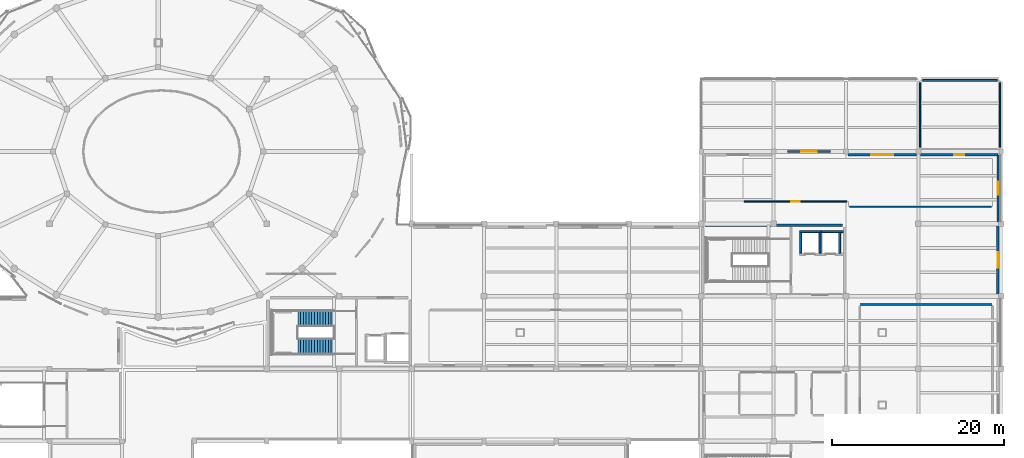
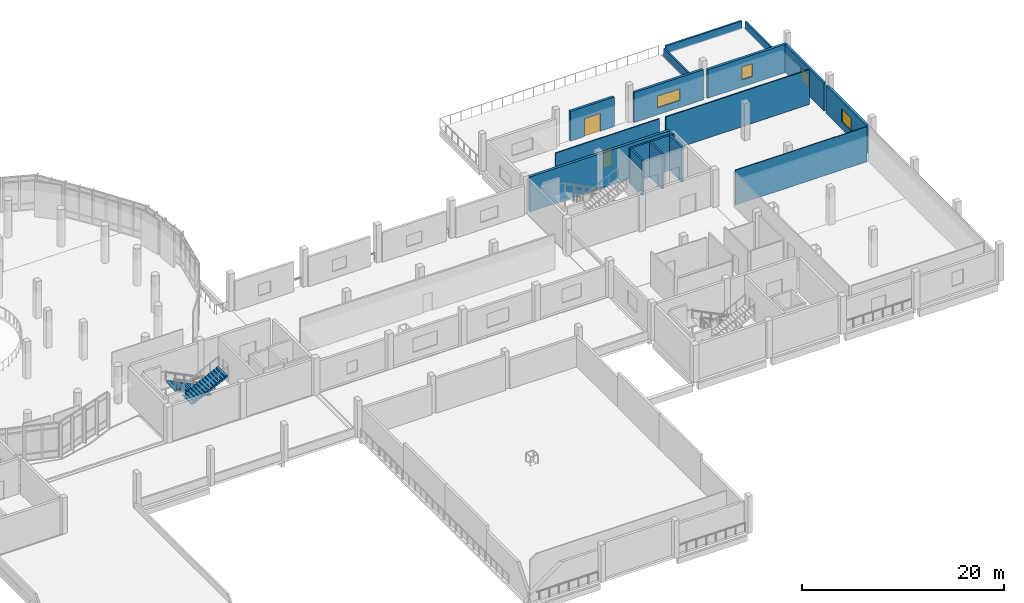
# One storey, part 33 of 46: 17 walls, 4 windows, 2 doors, 2 stair flights, 6 openings, 1 element without a shape of its own.
"""IFC4 building model written with IfcOpenShell, lengths in metres."""

from ifc_helpers import new_model, si_unit, derived_unit, direction, frame, frame_2d, origin, place, context, subcontext, project, spatial, polyline, rectangle, outline, extrude, material, layer, layer_set, type_object, element, fill, aggregate, save


model = new_model("IFC4")

# Units and contexts
model_context = context("Model", 3, precision=1e-05, world=origin(), true_north=direction((0.0, 1.0)))
body_context = subcontext(model_context, "Body", "Model", "MODEL_VIEW")
ifc_project = project(units=[si_unit("LENGTHUNIT", "METRE"), si_unit("AREAUNIT", "SQUARE_METRE"), si_unit("VOLUMEUNIT", "CUBIC_METRE"), si_unit("PLANEANGLEUNIT", "RADIAN"), si_unit("MASSUNIT", "GRAM", prefix="KILO"), derived_unit("THERMALTRANSMITTANCEUNIT", [(si_unit("POWERUNIT", "WATT"), 1), (si_unit("LENGTHUNIT", "METRE"), -2), (si_unit("THERMODYNAMICTEMPERATUREUNIT", "KELVIN"), -1)])], contexts=[model_context])

# Site, building, storey
site_placement = place(None, origin())
site = spatial("IfcSite", under=ifc_project, at=site_placement, CompositionType="ELEMENT")
building_placement = place(site_placement, origin())
building = spatial("IfcBuilding", under=site, at=building_placement, Name="Elbkamm Science Centre", CompositionType="ELEMENT")
storey_placement = place(building_placement, frame((0.0, 0.0, 9.89990234375)))
storey = spatial("IfcBuildingStorey", under=building, at=storey_placement, Name="L02", CompositionType="ELEMENT", Elevation=9.89990234375)

# Wall
ifc_material_1 = material(Name="Reinforced concrete C40/50", Category="concrete")
ifc_layer_1 = layer(ifc_material_1, 0.300048828125)
ifc_layer_set_1 = layer_set([ifc_layer_1], Name="Reinforced concrete C40/50")
wall_type_1 = type_object("IfcWallType", Name="WL-CORE-300", PredefinedType="SHEAR", material=ifc_layer_set_1)
wall_1_placement = place(storey_placement, frame((126.449951171875, 58.64990234375, 0.0), z_axis=(0.0, 0.0, 1.0), x_axis=(1.0, 0.0, 0.0)))
element("IfcWall", 1, at=wall_1_placement, inside=storey, type_object=wall_type_1, Name="L02 Core C3 Northeast Laboratories and Observatory Core Shear Wall N", PredefinedType="SHEAR", context=body_context, shape_type="SweptSolid", body=[
    extrude(rectangle(XDim=15.929931640625, YDim=0.300048828125, at=frame_2d((7.96484375, 0.0))), origin(), (0.0, 0.0, 1.0), 4.22021484375),
])

# Wall, opening, door
ifc_material_2 = material(Name="White precast concrete C40/50", Category="concrete")
ifc_layer_2 = layer(ifc_material_2, 0.27001953125)
ifc_layer_set_2 = layer_set([ifc_layer_2], Name="White precast concrete C40/50")
wall_type_2 = type_object("IfcWallType", Name="WL-EXT-270", PredefinedType="SOLIDWALL", material=ifc_layer_set_2)
wall_2_placement = place(storey_placement, frame((136.0, 67.199951171875, 0.0), z_axis=(0.0, 0.0, 1.0), x_axis=(1.0, 0.0, 0.0)))
wall_2 = element("IfcWall", 2, at=wall_2_placement, inside=storey, type_object=wall_type_2, Name="North Laboratory Roof Terrace Portal Wall", PredefinedType="SOLIDWALL", context=body_context, shape_type="SweptSolid", body=[
    extrude(rectangle(XDim=5.0, YDim=0.27001953125, at=frame_2d((2.5, 0.0))), origin(), (0.0, 0.0, 1.0), 3.580078125),
])
opening_1_placement = place(wall_2_placement, frame((1.60009765625, 0.0, 0.0)))
opening_1 = element("IfcOpeningElement", 3, at=opening_1_placement, cuts=wall_2, Name="Opening TD-01", PredefinedType="OPENING", context=body_context, shape_type="SweptSolid", body=[
    extrude(rectangle(XDim=1.800048828125, YDim=2.14990234375, at=frame_2d((0.89990234375, 1.074951171875))), frame((0.0, 0.14697265625, 0.0), z_axis=(0.0, -1.0, 0.0), x_axis=(1.0, 0.0, 0.0)), (0.0, 0.0, 1.0), 0.2939453125),
])
ifc_material_3 = material(Name="Powder-coated aluminium and laminated glass", Category="aluminium")
ifc_layer_3 = layer(ifc_material_3, 0.050048828125)
ifc_layer_set_3 = layer_set([ifc_layer_3], Name="Powder-coated aluminium and laminated glass")
door_type_1 = type_object("IfcDoorType", Name="DR-TER-1800x2150", OperationType="DOUBLE_DOOR_SINGLE_SWING", PredefinedType="DOOR", material=ifc_layer_set_3)
door_1_placement = place(opening_1_placement, origin())
door_1 = element("IfcDoor", 4, at=door_1_placement, inside=storey, type_object=door_type_1, Name="North Laboratory Roof Terrace Access Door", OperationType="DOUBLE_DOOR_SINGLE_SWING", OverallHeight=2.14990234375, OverallWidth=1.800048828125, PredefinedType="DOOR", context=body_context, shape_type="SweptSolid", body=[
    extrude(rectangle(XDim=1.800048828125, YDim=2.14990234375, at=frame_2d((0.89990234375, 1.074951171875))), frame((0.0, 0.02490234375, 0.0), z_axis=(0.0, -1.0, 0.0), x_axis=(1.0, 0.0, 0.0)), (0.0, 0.0, 1.0), 0.050048828125),
])
fill(opening_1, door_1)

# Wall, opening, window
wall_3_placement = place(storey_placement, frame((143.0390625, 66.820068359375, 0.0), z_axis=(0.0, 0.0, 1.0), x_axis=(1.0, 0.0, 0.0)))
wall_3 = element("IfcWall", 5, at=wall_3_placement, inside=storey, type_object=wall_type_2, Name="L02 Exterior Wall 0233", PredefinedType="SOLIDWALL", context=body_context, shape_type="SweptSolid", body=[
    extrude(rectangle(XDim=7.921875, YDim=0.27001953125, at=frame_2d((3.9609375, 0.0))), origin(), (0.0, 0.0, 1.0), 3.630126953125),
])
opening_2_placement = place(wall_3_placement, frame((2.660888671875, 0.0, 0.85009765625)))
opening_2 = element("IfcOpeningElement", 6, at=opening_2_placement, cuts=wall_3, Name="Opening W-08", PredefinedType="OPENING", context=body_context, shape_type="SweptSolid", body=[
    extrude(rectangle(XDim=2.60009765625, YDim=1.39990234375, at=frame_2d((1.300048828125, 0.699951171875))), frame((0.0, 0.14697265625, 0.0), z_axis=(0.0, -1.0, 0.0), x_axis=(1.0, 0.0, 0.0)), (0.0, 0.0, 1.0), 0.2939453125),
])
ifc_material_4 = material(Name="Thermally broken aluminium and triple solar glass", Category="aluminium")
ifc_layer_4 = layer(ifc_material_4, 0.06005859375)
ifc_layer_set_4 = layer_set([ifc_layer_4], Name="Thermally broken aluminium and triple solar glass")
window_type_1 = type_object("IfcWindowType", Name="WIN-2600x1400", PartitioningType="DOUBLE_PANEL_VERTICAL", PredefinedType="WINDOW", material=ifc_layer_set_4)
window_1_placement = place(opening_2_placement, origin())
window_1 = element("IfcWindow", 7, at=window_1_placement, inside=storey, type_object=window_type_1, Name="L02 Facade Window 0047", OverallHeight=1.39990234375, OverallWidth=2.60009765625, PartitioningType="SINGLE_PANEL", PredefinedType="WINDOW", context=body_context, shape_type="SweptSolid", body=[
    extrude(rectangle(XDim=2.60009765625, YDim=1.39990234375, at=frame_2d((1.300048828125, 0.699951171875))), frame((0.0, 0.030029296875, 0.0), z_axis=(0.0, -1.0, 0.0), x_axis=(1.0, 0.0, 0.0)), (0.0, 0.0, 1.0), 0.06005859375),
])
fill(opening_2, window_1)

wall_4_placement = place(storey_placement, frame((160.419921875, 66.820068359375, 0.0), z_axis=(0.0, 0.0, 1.0), x_axis=(0.0, -1.0, 0.0)))
wall_4 = element("IfcWall", 8, at=wall_4_placement, inside=storey, type_object=wall_type_2, Name="L02 Exterior Wall 0235", PredefinedType="SOLIDWALL", context=body_context, shape_type="SweptSolid", body=[
    extrude(rectangle(XDim=7.781005859375, YDim=0.27001953125, at=frame_2d((3.890625, 0.0))), origin(), (0.0, 0.0, 1.0), 3.3701171875),
])
opening_3_placement = place(wall_4_placement, frame((3.140380859375, 0.0, 0.85009765625)))
opening_3 = element("IfcOpeningElement", 9, at=opening_3_placement, cuts=wall_4, Name="Opening W-10", PredefinedType="OPENING", context=body_context, shape_type="SweptSolid", body=[
    extrude(rectangle(XDim=1.5, YDim=1.550048828125, at=frame_2d((0.75, 0.77490234375))), frame((0.0, 0.14697265625, 0.0), z_axis=(0.0, -1.0, 0.0), x_axis=(1.0, 0.0, 0.0)), (0.0, 0.0, 1.0), 0.2939453125),
])
ifc_layer_5 = layer(ifc_material_4, 0.06005859375)
ifc_layer_set_5 = layer_set([ifc_layer_5], Name="Thermally broken aluminium and triple solar glass")
window_type_2 = type_object("IfcWindowType", Name="WIN-1500x1550", PartitioningType="SINGLE_PANEL", PredefinedType="WINDOW", material=ifc_layer_set_5)
window_2_placement = place(opening_3_placement, origin())
window_2 = element("IfcWindow", 10, at=window_2_placement, inside=storey, type_object=window_type_2, Name="L02 Facade Window 0049", OverallHeight=1.550048828125, OverallWidth=1.5, PartitioningType="SINGLE_PANEL", PredefinedType="WINDOW", context=body_context, shape_type="SweptSolid", body=[
    extrude(rectangle(XDim=1.5, YDim=1.550048828125, at=frame_2d((0.75, 0.77490234375))), frame((0.0, 0.030029296875, 0.0), z_axis=(0.0, -1.0, 0.0), x_axis=(1.0, 0.0, 0.0)), (0.0, 0.0, 1.0), 0.06005859375),
])
fill(opening_3, window_2)

ifc_layer_6 = layer(ifc_material_2, 0.2900390625)
ifc_layer_set_6 = layer_set([ifc_layer_6], Name="White precast concrete C40/50")
wall_type_3 = type_object("IfcWallType", Name="WL-EXT-290", PredefinedType="SOLIDWALL", material=ifc_layer_set_6)
wall_5_placement = place(storey_placement, frame((151.439208984375, 66.820068359375, 0.0), z_axis=(0.0, 0.0, 1.0), x_axis=(1.0, 0.0, 0.0)))
wall_5 = element("IfcWall", 11, at=wall_5_placement, inside=storey, type_object=wall_type_3, Name="L02 Exterior Wall 0234", PredefinedType="SOLIDWALL", context=body_context, shape_type="SweptSolid", body=[
    extrude(rectangle(XDim=8.980712890625, YDim=0.2900390625, at=frame_2d((4.490234375, 0.0))), origin(), (0.0, 0.0, 1.0), 3.43017578125),
])
opening_4_placement = place(wall_5_placement, frame((3.890380859375, 0.0, 0.85009765625)))
opening_4 = element("IfcOpeningElement", 12, at=opening_4_placement, cuts=wall_5, Name="Opening W-09", PredefinedType="OPENING", context=body_context, shape_type="SweptSolid", body=[
    extrude(rectangle(XDim=1.199951171875, YDim=1.550048828125, at=frame_2d((0.60009765625, 0.77490234375))), frame((0.0, 0.156982421875, 0.0), z_axis=(0.0, -1.0, 0.0), x_axis=(1.0, 0.0, 0.0)), (0.0, 0.0, 1.0), 0.31396484375),
])
ifc_layer_7 = layer(ifc_material_4, 0.06005859375)
ifc_layer_set_7 = layer_set([ifc_layer_7], Name="Thermally broken aluminium and triple solar glass")
window_type_3 = type_object("IfcWindowType", Name="WIN-1200x1550", PartitioningType="SINGLE_PANEL", PredefinedType="WINDOW", material=ifc_layer_set_7)
window_3_placement = place(opening_4_placement, origin())
window_3 = element("IfcWindow", 13, at=window_3_placement, inside=storey, type_object=window_type_3, Name="L02 Facade Window 0048", OverallHeight=1.550048828125, OverallWidth=1.199951171875, PartitioningType="SINGLE_PANEL", PredefinedType="WINDOW", context=body_context, shape_type="SweptSolid", body=[
    extrude(rectangle(XDim=1.199951171875, YDim=1.550048828125, at=frame_2d((0.60009765625, 0.77490234375))), frame((0.0, 0.030029296875, 0.0), z_axis=(0.0, -1.0, 0.0), x_axis=(1.0, 0.0, 0.0)), (0.0, 0.0, 1.0), 0.06005859375),
])
fill(opening_4, window_3)

wall_6_placement = place(storey_placement, frame((160.419921875, 58.560791015625, 0.0), z_axis=(0.0, 0.0, 1.0), x_axis=(0.0, -1.0, 0.0)))
wall_6 = element("IfcWall", 14, at=wall_6_placement, inside=storey, type_object=wall_type_3, Name="L02 Exterior Wall 0236", PredefinedType="SOLIDWALL", context=body_context, shape_type="SweptSolid", body=[
    extrude(rectangle(XDim=7.921630859375, YDim=0.2900390625, at=frame_2d((3.9609375, 0.0))), origin(), (0.0, 0.0, 1.0), 3.3701171875),
])
opening_5_placement = place(wall_6_placement, frame((3.060791015625, 0.0, 0.85009765625)))
opening_5 = element("IfcOpeningElement", 15, at=opening_5_placement, cuts=wall_6, Name="Opening W-11", PredefinedType="OPENING", context=body_context, shape_type="SweptSolid", body=[
    extrude(rectangle(XDim=1.800048828125, YDim=1.550048828125, at=frame_2d((0.89990234375, 0.77490234375))), frame((0.0, 0.156982421875, 0.0), z_axis=(0.0, -1.0, 0.0), x_axis=(1.0, 0.0, 0.0)), (0.0, 0.0, 1.0), 0.31396484375),
])
ifc_layer_8 = layer(ifc_material_4, 0.06005859375)
ifc_layer_set_8 = layer_set([ifc_layer_8], Name="Thermally broken aluminium and triple solar glass")
window_type_4 = type_object("IfcWindowType", Name="WIN-1800x1550", PartitioningType="DOUBLE_PANEL_VERTICAL", PredefinedType="WINDOW", material=ifc_layer_set_8)
window_4_placement = place(opening_5_placement, origin())
window_4 = element("IfcWindow", 16, at=window_4_placement, inside=storey, type_object=window_type_4, Name="L02 Facade Window 0050", OverallHeight=1.550048828125, OverallWidth=1.800048828125, PartitioningType="SINGLE_PANEL", PredefinedType="WINDOW", context=body_context, shape_type="SweptSolid", body=[
    extrude(rectangle(XDim=1.800048828125, YDim=1.550048828125, at=frame_2d((0.89990234375, 0.77490234375))), frame((0.0, 0.030029296875, 0.0), z_axis=(0.0, -1.0, 0.0), x_axis=(1.0, 0.0, 0.0)), (0.0, 0.0, 1.0), 0.06005859375),
])
fill(opening_5, window_4)

# Walls
ifc_layer_9 = layer(ifc_material_2, 0.18994140625)
ifc_layer_set_9 = layer_set([ifc_layer_9], Name="White precast concrete C40/50")
wall_type_4 = type_object("IfcWallType", Name="WL-PAR-190", PredefinedType="PARAPET", material=ifc_layer_set_9)
for number, where, z_axis, x_axis, name in (
    (17, (151.3701171875, 67.68359375, 0.0), (0.0, 0.0, 1.0), (0.0, 1.0, 0.0), "L02 Roof Parapet Wall 039"),
    (18, (160.659912109375, 75.146484375, 0.0), (0.0, 0.0, 1.0), (0.0, -1.0, 0.0), "L02 Roof Parapet Wall 041"),
):
    element("IfcWall", number, at=place(storey_placement, frame(where, z_axis=z_axis, x_axis=x_axis)), inside=storey, type_object=wall_type_4, Name=name, PredefinedType="PARAPET", context=body_context, shape_type="SweptSolid", body=[
        extrude(rectangle(XDim=7.462890625, YDim=0.18994140625, at=frame_2d((3.7314453125, 0.0))), origin(), (0.0, 0.0, 1.0), 0.9501953125),
    ])
ifc_layer_10 = layer(ifc_material_2, 0.2099609375)
ifc_layer_set_10 = layer_set([ifc_layer_10], Name="White precast concrete C40/50")
wall_type_5 = type_object("IfcWallType", Name="WL-PAR-210", PredefinedType="PARAPET", material=ifc_layer_set_10)
wall_7_placement = place(storey_placement, frame((151.68359375, 75.4599609375, 0.0), z_axis=(0.0, 0.0, 1.0), x_axis=(1.0, 0.0, 0.0)))
element("IfcWall", 19, at=wall_7_placement, inside=storey, type_object=wall_type_5, Name="L02 Roof Parapet Wall 040", PredefinedType="PARAPET", context=body_context, shape_type="SweptSolid", body=[
    extrude(rectangle(XDim=8.662841796875, YDim=0.2099609375, at=frame_2d((4.33154296875, 0.0))), origin(), (0.0, 0.0, 1.0), 0.9501953125),
])
ifc_material_5 = material(Name="Drywall service partition", Category="gypsum")
ifc_layer_11 = layer(ifc_material_5, 0.10009765625)
ifc_layer_set_11 = layer_set([ifc_layer_11], Name="Drywall service partition")
wall_type_6 = type_object("IfcWallType", Name="WL-PART-100", PredefinedType="PARTITIONING", material=ifc_layer_set_11)
wall_8_placement = place(storey_placement, frame((144.580078125, 49.39990234375, 0.0), z_axis=(0.0, 0.0, 1.0), x_axis=(1.0, 0.0, 0.0)))
element("IfcWall", 20, at=wall_8_placement, inside=storey, type_object=wall_type_6, Name="L02 Climate Simulation Seminar Studio Partition 0183", PredefinedType="PARTITIONING", context=body_context, shape_type="SweptSolid", body=[
    extrude(rectangle(XDim=15.0400390625, YDim=0.10009765625, at=frame_2d((7.52001953125, 0.0))), origin(), (0.0, 0.0, 1.0), 4.22021484375),
])

# Wall, opening, door
ifc_material_6 = material(Name="Lightweight metal-stud gypsum partition", Category="gypsum")
ifc_layer_12 = layer(ifc_material_6, 0.125)
ifc_layer_set_12 = layer_set([ifc_layer_12], Name="Lightweight metal-stud gypsum partition")
wall_type_7 = type_object("IfcWallType", Name="WL-PART-125", PredefinedType="PARTITIONING", material=ifc_layer_set_12)
wall_9_placement = place(storey_placement, frame((142.8701171875, 61.39990234375, 0.0), z_axis=(0.0, 0.0, 1.0), x_axis=(-1.0, 0.0, 0.0)))
wall_9 = element("IfcWall", 21, at=wall_9_placement, inside=storey, type_object=wall_type_7, Name="L02 Robotics and Maker Workshop Partition 0182", PredefinedType="PARTITIONING", context=body_context, shape_type="SweptSolid", body=[
    extrude(rectangle(XDim=11.89013671875, YDim=0.125, at=frame_2d((5.945068359375, 0.0))), origin(), (0.0, 0.0, 1.0), 3.780029296875),
])
opening_6_placement = place(wall_9_placement, frame((5.445068359375, 0.0, 0.0)))
opening_6 = element("IfcOpeningElement", 22, at=opening_6_placement, cuts=wall_9, Name="Opening DI-08", PredefinedType="OPENING", context=body_context, shape_type="SweptSolid", body=[
    extrude(rectangle(XDim=1.0, YDim=2.14990234375, at=frame_2d((0.5, 1.074951171875))), frame((0.0, 0.074462890625, 0.0), z_axis=(0.0, -1.0, 0.0), x_axis=(1.0, 0.0, 0.0)), (0.0, 0.0, 1.0), 0.14892578125),
])
ifc_material_7 = material(Name="Acoustic oak veneer door")
ifc_layer_13 = layer(ifc_material_7, 0.050048828125)
ifc_layer_set_13 = layer_set([ifc_layer_13], Name="Acoustic oak veneer door")
door_type_2 = type_object("IfcDoorType", Name="DR-INT-1000x2150", OperationType="NOTDEFINED", PredefinedType="DOOR", material=ifc_layer_set_13)
door_2_placement = place(opening_6_placement, origin())
door_2 = element("IfcDoor", 23, at=door_2_placement, inside=storey, type_object=door_type_2, Name="L02 Robotics and Maker Workshop Door", OperationType="SINGLE_SWING_RIGHT", OverallHeight=2.14990234375, OverallWidth=1.0, PredefinedType="DOOR", context=body_context, shape_type="SweptSolid", body=[
    extrude(rectangle(XDim=1.0, YDim=2.14990234375, at=frame_2d((0.5, 1.074951171875))), frame((0.0, 0.02490234375, 0.0), z_axis=(0.0, -1.0, 0.0), x_axis=(1.0, 0.0, 0.0)), (0.0, 0.0, 1.0), 0.050048828125),
])
fill(opening_6, door_2)

# Walls
ifc_material_8 = material(Name="Acoustic metal-stud gypsum partition", Category="gypsum")
ifc_layer_14 = layer(ifc_material_8, 0.139892578125)
ifc_layer_set_14 = layer_set([ifc_layer_14], Name="Acoustic metal-stud gypsum partition")
wall_type_8 = type_object("IfcWallType", Name="WL-PART-140", PredefinedType="PARTITIONING", material=ifc_layer_set_14)
wall_10_placement = place(storey_placement, frame((159.6201171875, 60.800048828125, 0.0), z_axis=(0.0, 0.0, 1.0), x_axis=(-1.0, 0.0, 0.0)))
element("IfcWall", 24, at=wall_10_placement, inside=storey, type_object=wall_type_8, Name="L02 Robotics and Maker Workshop Partition 0181", PredefinedType="PARTITIONING", context=body_context, shape_type="SweptSolid", body=[
    extrude(rectangle(XDim=16.39013671875, YDim=0.139892578125, at=frame_2d((8.195068359375, 0.0))), origin(), (0.0, 0.0, 1.0), 4.22021484375),
])
ifc_layer_15 = layer(ifc_material_1, 0.219970703125)
ifc_layer_set_15 = layer_set([ifc_layer_15], Name="Reinforced concrete C40/50")
wall_type_9 = type_object("IfcWallType", Name="WL-SHAFT-220", PredefinedType="SOLIDWALL", material=ifc_layer_set_15)
wall_11_placement = place(storey_placement, frame((137.5400390625, 55.39990234375, 0.0), z_axis=(0.0, 0.0, 1.0), x_axis=(0.0, 1.0, 0.0)))
element("IfcWall", 25, at=wall_11_placement, inside=storey, type_object=wall_type_9, Name="L02 Lift LP1 Shaft West Wall", PredefinedType="SOLIDWALL", context=body_context, shape_type="SweptSolid", body=[
    extrude(rectangle(XDim=2.400146484375, YDim=0.219970703125, at=frame_2d((1.2001953125, 0.0))), origin(), (0.0, 0.0, 1.0), 4.22021484375),
])
wall_12_placement = place(storey_placement, frame((137.429931640625, 57.909912109375, 0.0), z_axis=(0.0, 0.0, 1.0), x_axis=(1.0, 0.0, 0.0)))
element("IfcWall", 26, at=wall_12_placement, inside=storey, type_object=wall_type_9, Name="L02 Lift LP1 Shaft Back Wall", PredefinedType="SOLIDWALL", context=body_context, shape_type="SweptSolid", body=[
    extrude(rectangle(XDim=2.47998046875, YDim=0.219970703125, at=frame_2d((1.239990234375, 0.0))), origin(), (0.0, 0.0, 1.0), 4.22021484375),
])
for number, where, z_axis, x_axis, name in (
    (27, (139.800048828125, 55.39990234375, 0.0), (0.0, 0.0, 1.0), (0.0, 1.0, 0.0), "L02 Lift LP2 Shaft Divider Wall"),
    (28, (142.06005859375, 55.39990234375, 0.0), (0.0, 0.0, 1.0), (0.0, 1.0, 0.0), "L02 Lift LP2 Shaft East Wall"),
):
    element("IfcWall", number, at=place(storey_placement, frame(where, z_axis=z_axis, x_axis=x_axis)), inside=storey, type_object=wall_type_9, Name=name, PredefinedType="SOLIDWALL", context=body_context, shape_type="SweptSolid", body=[
        extrude(rectangle(XDim=2.400146484375, YDim=0.219970703125, at=frame_2d((1.2001953125, 0.0))), origin(), (0.0, 0.0, 1.0), 4.22021484375),
    ])
wall_13_placement = place(storey_placement, frame((139.68994140625, 57.909912109375, 0.0), z_axis=(0.0, 0.0, 1.0), x_axis=(1.0, 0.0, 0.0)))
element("IfcWall", 29, at=wall_13_placement, inside=storey, type_object=wall_type_9, Name="L02 Lift LP2 Shaft Back Wall", PredefinedType="SOLIDWALL", context=body_context, shape_type="SweptSolid", body=[
    extrude(rectangle(XDim=2.81005859375, YDim=0.219970703125, at=frame_2d((1.405029296875, 0.0))), origin(), (0.0, 0.0, 1.0), 4.22021484375),
])

# Stair, stair flights
stair_type = type_object("IfcStairType", Name="ST-TWO-28R-182", PredefinedType="USERDEFINED", material=ifc_material_1)
stair_placement = place(storey_placement, origin())
stair = element("IfcStair", 30, at=stair_placement, inside=storey, type_object=stair_type, Name="L02 Core C2 Central Exhibition and Skybridge Core Escape Stair", ObjectType="TWO_RETURN_STAIR", PredefinedType="USERDEFINED")
stair_flight_type = type_object("IfcStairFlightType", Name="FLT-14R-161MM-182", PredefinedType="STRAIGHT", material=ifc_material_1)
stair_flight_1_placement = place(storey_placement, frame((83.3798828125, 47.81005859375, 0.0), z_axis=(0.0, 0.0, 1.0), x_axis=(-1.0, 0.0, 0.0)))
stair_flight_1 = element("IfcStairFlight", 31, at=stair_flight_1_placement, type_object=stair_flight_type, Name="ST-C2 flight 1", NumberOfRisers=14, NumberOfTreads=13, PredefinedType="STRAIGHT", RiserHeight=0.160714286, TreadLength=0.32, context=body_context, shape_type="SweptSolid", body=[
    extrude(outline(polyline([(0.0, 0.0), (0.0, 0.16064453125), (0.320068359375, 0.16064453125), (0.320068359375, 0.321533203125), (0.639892578125, 0.321533203125), (0.639892578125, 0.482177734375), (0.9599609375, 0.482177734375), (0.9599609375, 0.642822265625), (1.280029296875, 0.642822265625), (1.280029296875, 0.803466796875), (1.60009765625, 0.803466796875), (1.60009765625, 0.96435546875), (1.919921875, 0.96435546875), (1.919921875, 1.125), (2.239990234375, 1.125), (2.239990234375, 1.28564453125), (2.56005859375, 1.28564453125), (2.56005859375, 1.446533203125), (2.8798828125, 1.446533203125), (2.8798828125, 1.607177734375), (3.199951171875, 1.607177734375), (3.199951171875, 1.767822265625), (3.52001953125, 1.767822265625), (3.52001953125, 1.928466796875), (3.840087890625, 1.928466796875), (3.840087890625, 2.08935546875), (4.159912109375, 2.08935546875), (4.159912109375, 2.25), (4.159912109375, 1.910400390625), (0.356201171875, 0.0), (0.0, 0.0)])), frame((0.0, 0.91015625, 0.0), z_axis=(0.0, -1.0, 0.0), x_axis=(1.0, 0.0, 0.0)), (0.0, 0.0, 1.0), 1.820068359375),
])
stair_flight_2_placement = place(storey_placement, frame((79.219970703125, 44.590087890625, 2.25), z_axis=(0.0, 0.0, 1.0), x_axis=(1.0, 0.0, 0.0)))
stair_flight_2 = element("IfcStairFlight", 32, at=stair_flight_2_placement, type_object=stair_flight_type, Name="ST-C2 flight 2", NumberOfRisers=14, NumberOfTreads=13, PredefinedType="STRAIGHT", RiserHeight=0.160714286, TreadLength=0.32, context=body_context, shape_type="SweptSolid", body=[
    extrude(outline(polyline([(0.0, 0.0), (0.0, 0.16064453125), (0.320068359375, 0.16064453125), (0.320068359375, 0.321533203125), (0.639892578125, 0.321533203125), (0.639892578125, 0.482177734375), (0.9599609375, 0.482177734375), (0.9599609375, 0.642822265625), (1.280029296875, 0.642822265625), (1.280029296875, 0.803466796875), (1.60009765625, 0.803466796875), (1.60009765625, 0.96435546875), (1.919921875, 0.96435546875), (1.919921875, 1.125), (2.239990234375, 1.125), (2.239990234375, 1.28564453125), (2.56005859375, 1.28564453125), (2.56005859375, 1.446533203125), (2.8798828125, 1.446533203125), (2.8798828125, 1.607177734375), (3.199951171875, 1.607177734375), (3.199951171875, 1.767822265625), (3.52001953125, 1.767822265625), (3.52001953125, 1.928466796875), (3.840087890625, 1.928466796875), (3.840087890625, 2.08935546875), (4.159912109375, 2.08935546875), (4.159912109375, 2.25), (4.159912109375, 1.910400390625), (0.356201171875, 0.0), (0.0, 0.0)])), frame((0.0, 0.91015625, 0.0), z_axis=(0.0, -1.0, 0.0), x_axis=(1.0, 0.0, 0.0)), (0.0, 0.0, 1.0), 1.820068359375),
])
aggregate(stair, [stair_flight_1, stair_flight_2])

save(model, "model.ifc")
